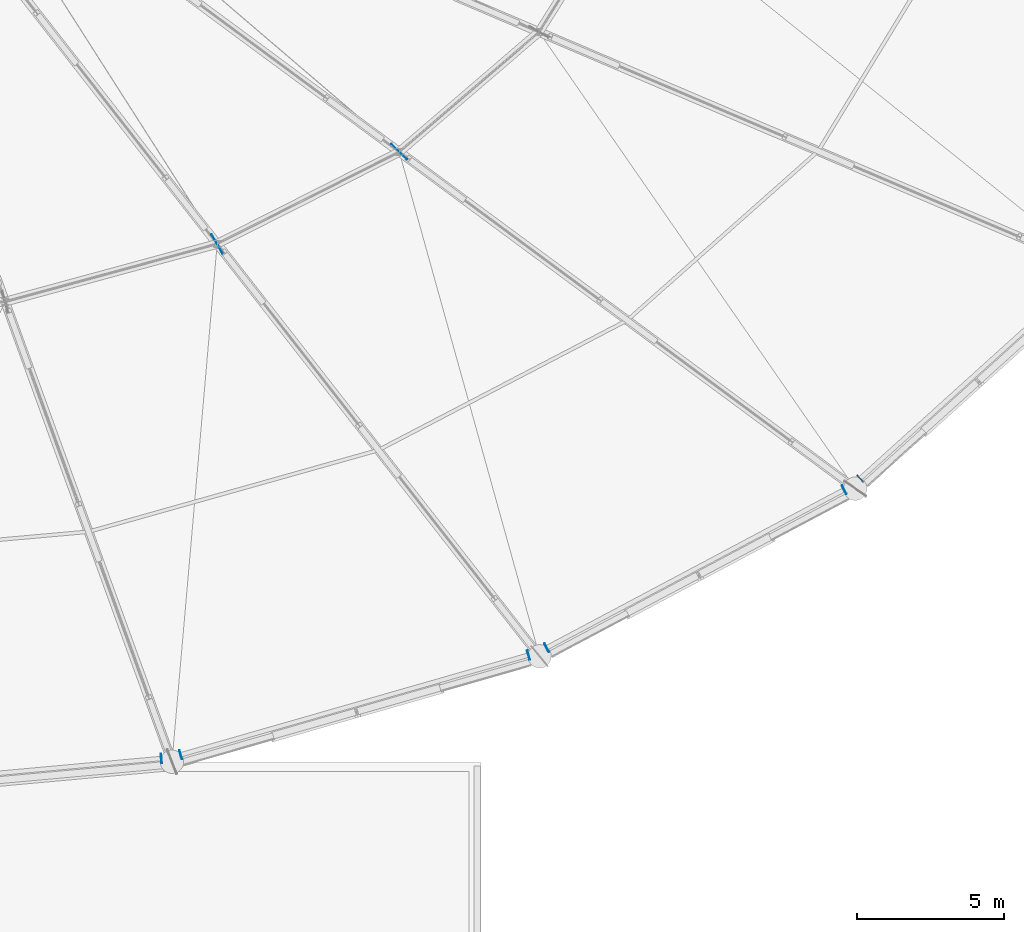
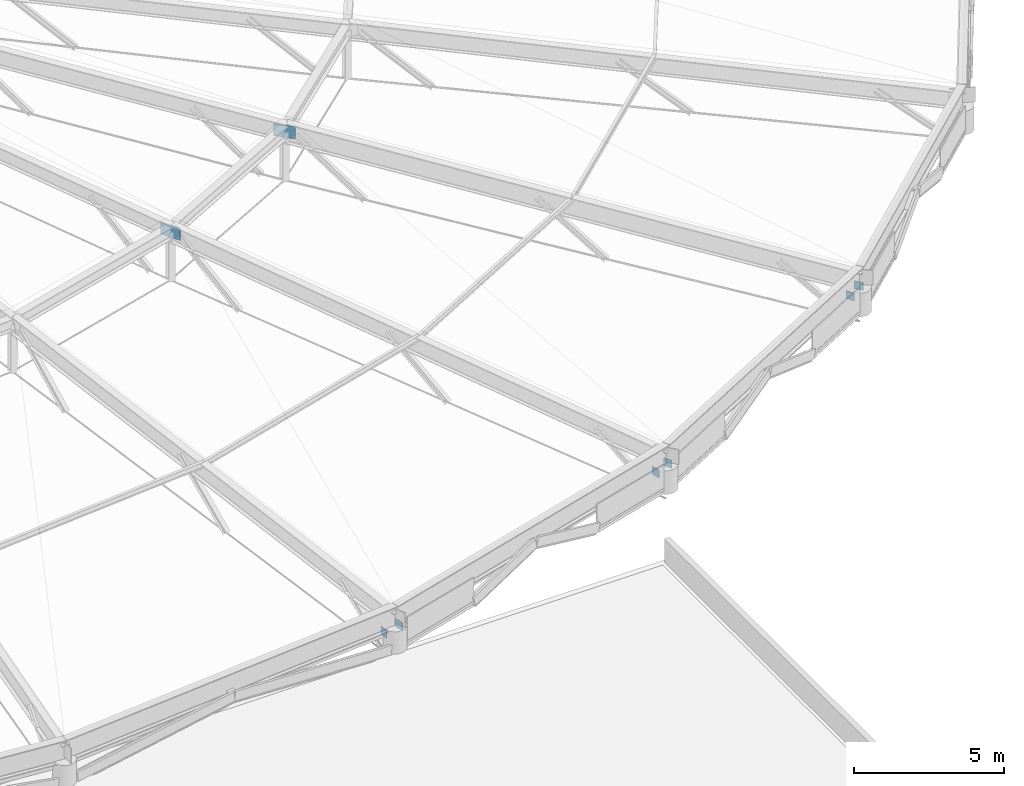
# One storey, part 60 of 83: 8 plates.
"""IFC4 building model written with IfcOpenShell, lengths in metres."""

from ifc_helpers import new_model, si_unit, direction, frame, origin, origin_2d, place, context, subcontext, project, spatial, rectangle, extrude, material, layer, layer_set, type_object, element, save


model = new_model("IFC4")

# Units and contexts
model_context = context("Model", 3, precision=1e-05, world=origin(), true_north=direction((0.0, 1.0)))
body_context = subcontext(model_context, "Body", "Model", "MODEL_VIEW")
ifc_project = project(units=[si_unit("LENGTHUNIT", "METRE"), si_unit("AREAUNIT", "SQUARE_METRE"), si_unit("VOLUMEUNIT", "CUBIC_METRE"), si_unit("PLANEANGLEUNIT", "RADIAN"), si_unit("MASSUNIT", "GRAM", prefix="KILO")], contexts=[model_context])

# Site, building, storey
site_placement = place(None, origin())
site = spatial("IfcSite", under=ifc_project, at=site_placement, CompositionType="ELEMENT")
building_placement = place(site_placement, origin())
building = spatial("IfcBuilding", under=site, at=building_placement, Name="Kivolera Central Railway Station", CompositionType="ELEMENT")
storey_placement = place(building_placement, frame((0.0, 0.0, 14.39990234375)))
storey = spatial("IfcBuildingStorey", under=building, at=storey_placement, Name="L03", CompositionType="ELEMENT", Elevation=14.39990234375)

# Plates
ifc_material = material(Name="Steel S355", Category="steel")
ifc_layer_1 = layer(ifc_material, 0.02490234375, Name="Steel S355")
ifc_layer_set_1 = layer_set([ifc_layer_1], Name="Steel S355")
plate_type_1 = type_object("IfcPlateType", Name="PLT-CAP-320", PredefinedType="SHEET", material=ifc_layer_set_1)
for number, where, z_axis, x_axis, name in (
    (1, (77.095947265625, 55.339111328125, 0.735107421875), (0.995873980244, 0.090746986022, 0.0), (-0.090746986022, 0.995873980244, 0.0), "Hollow section end-cap plate NP-CAP1"),
    (2, (77.756103515625, 55.462890625, 0.735107421875), (0.961251247527, 0.275673791151, 0.0), (-0.275673791151, 0.961251247527, 0.0), "Hollow section end-cap plate NP-CAP1"),
    (3, (89.623046875, 58.865966796875, 0.735107421875), (0.961251247527, 0.275673791151, 0.0), (-0.275673791151, 0.961251247527, 0.0), "Hollow section end-cap plate NP-CAP1"),
    (4, (90.240966796875, 59.115966796875, 0.735107421875), (0.883132628524, 0.469123395747, 0.0), (-0.469123395747, 0.883132628524, 0.0), "Hollow section end-cap plate NP-CAP1"),
    (5, (100.39208984375, 64.508056640625, 0.735107421875), (0.883132628524, 0.469123395747, 0.0), (-0.469123395747, 0.883132628524, 0.0), "Hollow section end-cap plate NP-CAP1"),
    (6, (100.93310546875, 64.885986328125, 0.735107421875), (0.742405923756, 0.66995032978, 0.0), (-0.66995032978, 0.742405923756, 0.0), "Hollow section end-cap plate NP-CAP1"),
):
    element("IfcPlate", number, at=place(storey_placement, frame(where, z_axis=z_axis, x_axis=x_axis)), inside=storey, type_object=plate_type_1, Name=name, PredefinedType="SHEET", context=body_context, shape_type="SweptSolid", body=[
        extrude(rectangle(XDim=0.320068359375, YDim=0.320068359375, at=origin_2d()), frame((0.0, 0.0, -0.012451171875)), (0.0, 0.0, 1.0), 0.02490234375),
    ])
ifc_layer_2 = layer(ifc_material, 0.02392578125, Name="Steel S355")
ifc_layer_set_2 = layer_set([ifc_layer_2], Name="Steel S355")
plate_type_2 = type_object("IfcPlateType", Name="PLT-GUS-750", PredefinedType="SHEET", material=ifc_layer_set_2)
for number, where, z_axis, x_axis, name in (
    (7, (79.0, 72.89599609375, 5.530029296875), (0.0, 0.0, 1.0), (0.5, -0.866025403784, 0.0), "Dome Ring Node Gusset Plate R1-21"),
    (8, (85.212890625, 76.034912109375, 5.530029296875), (0.0, 0.0, 1.0), (0.707106781187, -0.707106781187, 0.0), "Dome Ring Node Gusset Plate R1-22"),
):
    element("IfcPlate", number, at=place(storey_placement, frame(where, z_axis=z_axis, x_axis=x_axis)), inside=storey, type_object=plate_type_2, Name=name, PredefinedType="SHEET", context=body_context, shape_type="SweptSolid", body=[
        extrude(rectangle(XDim=0.75, YDim=0.02392578125, at=origin_2d()), origin(), (0.0, 0.0, 1.0), 0.5),
    ])

save(model, "model.ifc")
